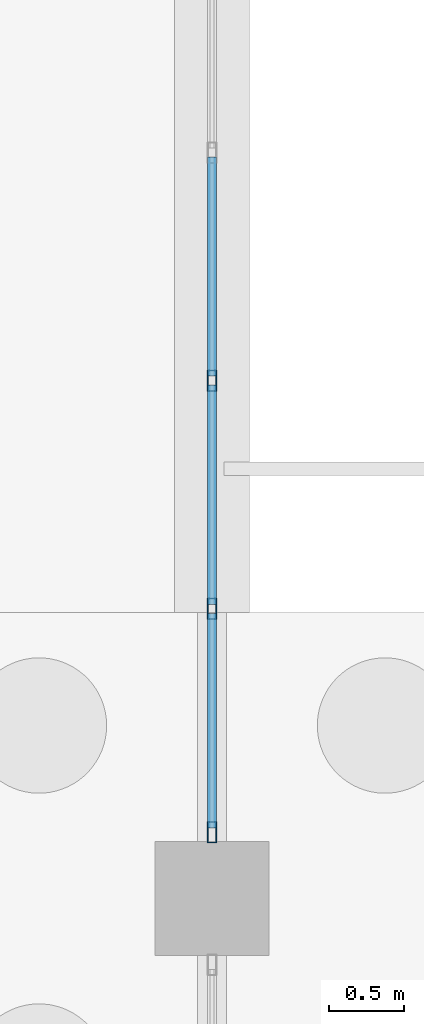
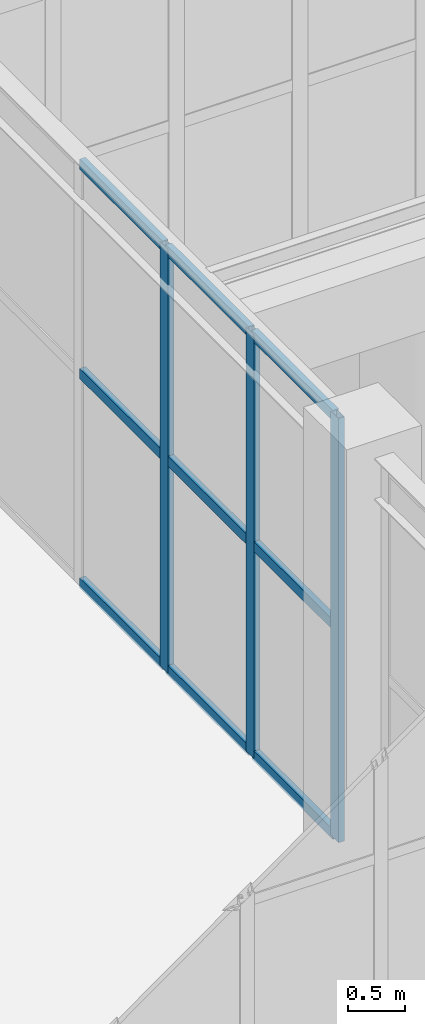
# One storey, part 61 of 192: 12 members, 1 element without a shape of its own.
"""IFC4 building model written with IfcOpenShell, lengths in metres."""

from ifc_helpers import new_model, si_unit, direction, frame, origin, origin_2d, place, context, subcontext, project, spatial, hollow_rectangle, extrude, material, layer, layer_set, material_profile, profile_set, type_object, element, aggregate, save


model = new_model("IFC4")

# Units and contexts
model_context = context("Model", 3, precision=1e-05, world=origin(), true_north=direction((0.0, 1.0)))
body_context = subcontext(model_context, "Body", "Model", "MODEL_VIEW")
ifc_project = project(units=[si_unit("LENGTHUNIT", "METRE"), si_unit("AREAUNIT", "SQUARE_METRE"), si_unit("VOLUMEUNIT", "CUBIC_METRE"), si_unit("PLANEANGLEUNIT", "RADIAN"), si_unit("MASSUNIT", "GRAM", prefix="KILO")], contexts=[model_context])

# Site, building, storey
site_placement = place(None, origin())
site = spatial("IfcSite", under=ifc_project, at=site_placement, CompositionType="ELEMENT")
building_placement = place(site_placement, origin())
building = spatial("IfcBuilding", under=site, at=building_placement, Name="Trelvath General Hospital", CompositionType="ELEMENT")
storey_placement = place(building_placement, origin())
storey = spatial("IfcBuildingStorey", under=building, at=storey_placement, Name="L00", CompositionType="ELEMENT", Elevation=0.0)

# Curtain wall, members
ifc_material_1 = material(Name="Anodised aluminium and low-E glass", Category="aluminium")
ifc_layer = layer(ifc_material_1, 0.139892578125)
ifc_layer_set = layer_set([ifc_layer], Name="Anodised aluminium and low-E glass")
curtain_wall_type = type_object("IfcCurtainWallType", Name="CW CrystalCube 758 456 14", PredefinedType="USERDEFINED", material=ifc_layer_set)
curtain_wall_placement = place(storey_placement, origin())
curtain_wall = element("IfcCurtainWall", 1, at=curtain_wall_placement, inside=storey, type_object=curtain_wall_type, Name="Crystal Cube Curtain Wall CUBE-W-T0 E2 L00", ObjectType="Unitised Glazed Curtain Wall", PredefinedType="USERDEFINED")
ifc_material_2 = material(Name="Anodised aluminium", Category="aluminium")
ifc_material_profile_1 = material_profile(ifc_material_2, hollow_rectangle(XDim=0.06005859375, YDim=0.139892578125, WallThickness=0.00390625, at=origin_2d()), Name="RHS60x140x4")
ifc_profile_set_1 = profile_set([ifc_material_profile_1], Name="Anodised aluminium")
member_type_1 = type_object("IfcMemberType", Name="CurtainMullion 60x140", PredefinedType="MULLION", material=ifc_profile_set_1)
member_1_placement = place(storey_placement, frame((75.60009765625, 37.0419921875, 0.0), z_axis=(0.0, 0.0, 1.0), x_axis=(1.0, 0.0, 0.0)))
member_1 = element("IfcMember", 2, at=member_1_placement, type_object=member_type_1, Name="CW-097 mullion 4", PredefinedType="MULLION", context=body_context, shape_type="SweptSolid", body=[
    extrude(hollow_rectangle(XDim=0.06005859375, YDim=0.139892578125, WallThickness=0.00390625, at=origin_2d()), origin(), (0.0, 0.0, 1.0), 4.56005859375),
])
member_2_placement = place(storey_placement, frame((75.60009765625, 35.52587890625, 0.0), z_axis=(0.0, 0.0, 1.0), x_axis=(1.0, 0.0, 0.0)))
member_2 = element("IfcMember", 3, at=member_2_placement, type_object=member_type_1, Name="CW-097 mullion 5", PredefinedType="MULLION", context=body_context, shape_type="SweptSolid", body=[
    extrude(hollow_rectangle(XDim=0.06005859375, YDim=0.139892578125, WallThickness=0.00390625, at=origin_2d()), origin(), (0.0, 0.0, 1.0), 4.56005859375),
])
member_3_placement = place(storey_placement, frame((75.60009765625, 34.0400390625, 0.0), z_axis=(0.0, 0.0, 1.0), x_axis=(1.0, 0.0, 0.0)))
member_3 = element("IfcMember", 4, at=member_3_placement, type_object=member_type_1, Name="CW-097 mullion 6", PredefinedType="MULLION", context=body_context, shape_type="SweptSolid", body=[
    extrude(hollow_rectangle(XDim=0.06005859375, YDim=0.139892578125, WallThickness=0.00390625, at=origin_2d()), origin(), (0.0, 0.0, 1.0), 4.56005859375),
])
ifc_material_3 = material(Name="Anodised aluminium", Category="aluminium")
ifc_material_profile_2 = material_profile(ifc_material_3, hollow_rectangle(XDim=0.06005859375, YDim=0.110107421875, WallThickness=0.00390625, at=origin_2d()), Name="RHS60x110x4")
ifc_profile_set_2 = profile_set([ifc_material_profile_2], Name="Anodised aluminium")
member_type_2 = type_object("IfcMemberType", Name="CurtainTransom 60x110", PredefinedType="USERDEFINED", material=ifc_profile_set_2)
member_4_placement = place(storey_placement, frame((75.60009765625, 38.528076171875, 0.030029296875), z_axis=(0.0, -1.0, 0.0), x_axis=(1.0, 0.0, 0.0)))
member_4 = element("IfcMember", 5, at=member_4_placement, type_object=member_type_2, Name="CW-097 transom 3.1", ObjectType="TRANSOM", PredefinedType="USERDEFINED", context=body_context, shape_type="SweptSolid", body=[
    extrude(hollow_rectangle(XDim=0.06005859375, YDim=0.110107421875, WallThickness=0.00390625, at=origin_2d()), origin(), (0.0, 0.0, 1.0), 1.4560546875),
])
member_5_placement = place(storey_placement, frame((75.60009765625, 38.528076171875, 2.280029296875), z_axis=(0.0, -1.0, 0.0), x_axis=(1.0, 0.0, 0.0)))
member_5 = element("IfcMember", 6, at=member_5_placement, type_object=member_type_2, Name="CW-097 transom 3.2", ObjectType="TRANSOM", PredefinedType="USERDEFINED", context=body_context, shape_type="SweptSolid", body=[
    extrude(hollow_rectangle(XDim=0.06005859375, YDim=0.110107421875, WallThickness=0.00390625, at=origin_2d()), origin(), (0.0, 0.0, 1.0), 1.4560546875),
])
member_6_placement = place(storey_placement, frame((75.60009765625, 38.528076171875, 4.530029296875), z_axis=(0.0, -1.0, 0.0), x_axis=(1.0, 0.0, 0.0)))
member_6 = element("IfcMember", 7, at=member_6_placement, type_object=member_type_2, Name="CW-097 transom 3.3", ObjectType="TRANSOM", PredefinedType="USERDEFINED", context=body_context, shape_type="SweptSolid", body=[
    extrude(hollow_rectangle(XDim=0.06005859375, YDim=0.110107421875, WallThickness=0.00390625, at=origin_2d()), origin(), (0.0, 0.0, 1.0), 1.4560546875),
])
member_7_placement = place(storey_placement, frame((75.60009765625, 37.011962890625, 0.030029296875), z_axis=(0.0, -1.0, 0.0), x_axis=(1.0, 0.0, 0.0)))
member_7 = element("IfcMember", 8, at=member_7_placement, type_object=member_type_2, Name="CW-097 transom 4.1", ObjectType="TRANSOM", PredefinedType="USERDEFINED", context=body_context, shape_type="SweptSolid", body=[
    extrude(hollow_rectangle(XDim=0.06005859375, YDim=0.110107421875, WallThickness=0.00390625, at=origin_2d()), origin(), (0.0, 0.0, 1.0), 1.4560546875),
])
member_8_placement = place(storey_placement, frame((75.60009765625, 37.011962890625, 2.280029296875), z_axis=(0.0, -1.0, 0.0), x_axis=(1.0, 0.0, 0.0)))
member_8 = element("IfcMember", 9, at=member_8_placement, type_object=member_type_2, Name="CW-097 transom 4.2", ObjectType="TRANSOM", PredefinedType="USERDEFINED", context=body_context, shape_type="SweptSolid", body=[
    extrude(hollow_rectangle(XDim=0.06005859375, YDim=0.110107421875, WallThickness=0.00390625, at=origin_2d()), origin(), (0.0, 0.0, 1.0), 1.4560546875),
])
member_9_placement = place(storey_placement, frame((75.60009765625, 37.011962890625, 4.530029296875), z_axis=(0.0, -1.0, 0.0), x_axis=(1.0, 0.0, 0.0)))
member_9 = element("IfcMember", 10, at=member_9_placement, type_object=member_type_2, Name="CW-097 transom 4.3", ObjectType="TRANSOM", PredefinedType="USERDEFINED", context=body_context, shape_type="SweptSolid", body=[
    extrude(hollow_rectangle(XDim=0.06005859375, YDim=0.110107421875, WallThickness=0.00390625, at=origin_2d()), origin(), (0.0, 0.0, 1.0), 1.4560546875),
])
member_10_placement = place(storey_placement, frame((75.60009765625, 35.49609375, 0.030029296875), z_axis=(0.0, -1.0, 0.0), x_axis=(1.0, 0.0, 0.0)))
member_10 = element("IfcMember", 11, at=member_10_placement, type_object=member_type_2, Name="CW-097 transom 5.1", ObjectType="TRANSOM", PredefinedType="USERDEFINED", context=body_context, shape_type="SweptSolid", body=[
    extrude(hollow_rectangle(XDim=0.06005859375, YDim=0.110107421875, WallThickness=0.00390625, at=origin_2d()), origin(), (0.0, 0.0, 1.0), 1.426025390625),
])
member_11_placement = place(storey_placement, frame((75.60009765625, 35.49609375, 2.280029296875), z_axis=(0.0, -1.0, 0.0), x_axis=(1.0, 0.0, 0.0)))
member_11 = element("IfcMember", 12, at=member_11_placement, type_object=member_type_2, Name="CW-097 transom 5.2", ObjectType="TRANSOM", PredefinedType="USERDEFINED", context=body_context, shape_type="SweptSolid", body=[
    extrude(hollow_rectangle(XDim=0.06005859375, YDim=0.110107421875, WallThickness=0.00390625, at=origin_2d()), origin(), (0.0, 0.0, 1.0), 1.426025390625),
])
member_12_placement = place(storey_placement, frame((75.60009765625, 35.49609375, 4.530029296875), z_axis=(0.0, -1.0, 0.0), x_axis=(1.0, 0.0, 0.0)))
member_12 = element("IfcMember", 13, at=member_12_placement, type_object=member_type_2, Name="CW-097 transom 5.3", ObjectType="TRANSOM", PredefinedType="USERDEFINED", context=body_context, shape_type="SweptSolid", body=[
    extrude(hollow_rectangle(XDim=0.06005859375, YDim=0.110107421875, WallThickness=0.00390625, at=origin_2d()), origin(), (0.0, 0.0, 1.0), 1.426025390625),
])
aggregate(curtain_wall, [member_1, member_2, member_3, member_4, member_5, member_6, member_7, member_8, member_9, member_10, member_11, member_12])

save(model, "model.ifc")
